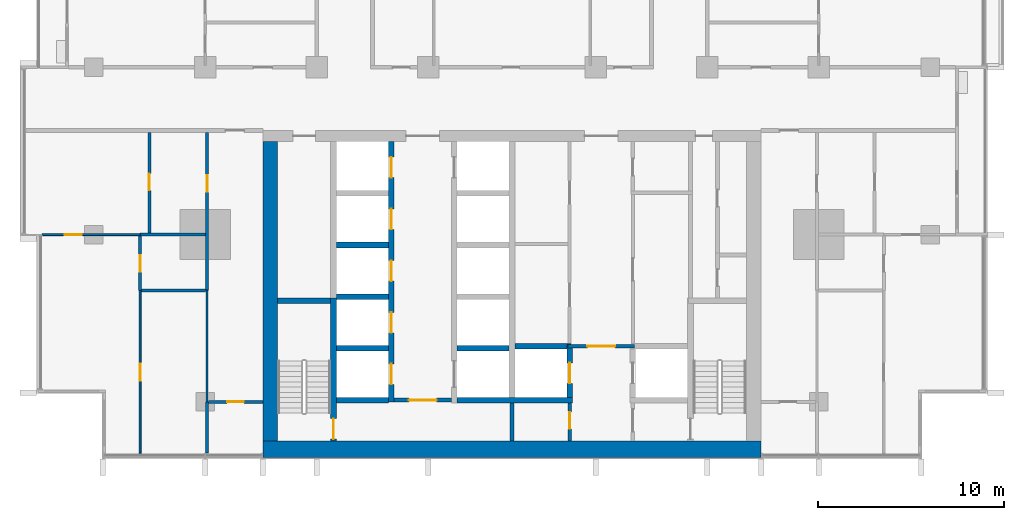
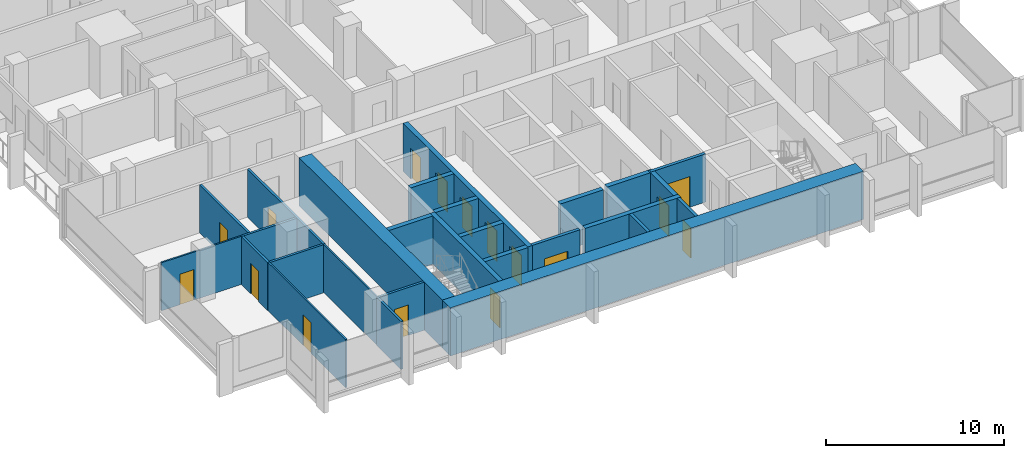
# One storey, part 7 of 17: 27 walls, 16 doors, 16 openings.
"""IFC4 building model written with IfcOpenShell, lengths in metres."""

from ifc_helpers import new_model, si_unit, direction, frame, frame_2d, origin, place, context, subcontext, project, spatial, rectangle, extrude, material, layer, layer_set, type_object, element, fill, save


model = new_model("IFC4")

# Units and contexts
model_context = context("Model", 3, precision=1e-05, world=origin(), true_north=direction((0.0, 1.0)))
body_context = subcontext(model_context, "Body", "Model", "MODEL_VIEW")
ifc_project = project(units=[si_unit("LENGTHUNIT", "METRE"), si_unit("AREAUNIT", "SQUARE_METRE"), si_unit("VOLUMEUNIT", "CUBIC_METRE"), si_unit("PLANEANGLEUNIT", "RADIAN"), si_unit("MASSUNIT", "GRAM", prefix="KILO")], contexts=[model_context])

# Site, building, storey
site_placement = place(None, origin())
site = spatial("IfcSite", under=ifc_project, at=site_placement, CompositionType="ELEMENT")
building_placement = place(site_placement, origin())
building = spatial("IfcBuilding", under=site, at=building_placement, Name="Finial Court Residences", CompositionType="ELEMENT")
storey_placement = place(building_placement, frame((0.0, 0.0, 117.10009765625)))
storey = spatial("IfcBuildingStorey", under=building, at=storey_placement, Name="L29", CompositionType="ELEMENT", Elevation=117.10009765625)

# Walls
ifc_material_1 = material(Name="Concrete C70/85", Category="concrete")
ifc_layer_1 = layer(ifc_material_1, 0.800048828125)
ifc_layer_set_1 = layer_set([ifc_layer_1], Name="Core outer wall 800 Concrete C70/85")
wall_type_1 = type_object("IfcWallType", Name="Core outer wall 800 Concrete C70/85", PredefinedType="SHEAR", material=ifc_layer_set_1)
wall_1_placement = place(storey_placement, frame((-13.0, -24.60009765625, 0.0), z_axis=(0.0, 0.0, 1.0), x_axis=(0.0, 1.0, 0.0)))
element("IfcWall", 1, at=wall_1_placement, inside=storey, type_object=wall_type_1, Name="Core outer wall L29-03", PredefinedType="SHEAR", context=body_context, shape_type="SweptSolid", body=[
    extrude(rectangle(XDim=16.10009765625, YDim=0.800048828125, at=frame_2d((8.050048828125, 0.0))), origin(), (0.0, 0.0, 1.0), 3.2998046875),
])
ifc_layer_2 = layer(ifc_material_1, 0.89990234375)
ifc_layer_set_2 = layer_set([ifc_layer_2], Name="Core south facade wall 900 Concrete C70/85")
wall_type_2 = type_object("IfcWallType", Name="Core south facade wall 900 Concrete C70/85", PredefinedType="SHEAR", material=ifc_layer_set_2)
wall_2_placement = place(storey_placement, frame((-13.39990234375, -25.050048828125, 0.0), z_axis=(0.0, 0.0, 1.0), x_axis=(1.0, 0.0, 0.0)))
element("IfcWall", 2, at=wall_2_placement, inside=storey, type_object=wall_type_2, Name="Core outer wall L29-01", PredefinedType="SHEAR", context=body_context, shape_type="SweptSolid", body=[
    extrude(rectangle(XDim=26.7998046875, YDim=0.89990234375, at=frame_2d((13.39990234375, 0.0))), origin(), (0.0, 0.0, 1.0), 3.2998046875),
])

# Wall, opening, door
ifc_material_2 = material(Name="Fire-rated gypsum board partition")
ifc_layer_3 = layer(ifc_material_2, 0.199951171875)
ifc_layer_set_3 = layer_set([ifc_layer_3], Name="Firefighting lobby wall 200 EI 120")
wall_type_3 = type_object("IfcWallType", Name="Firefighting lobby wall 200 EI 120", PredefinedType="PARTITIONING", material=ifc_layer_set_3)
wall_3_placement = place(storey_placement, frame((6.574951171875, -19.5, 0.0), z_axis=(0.0, 0.0, 1.0), x_axis=(-1.0, 0.0, 0.0)))
wall_3 = element("IfcWall", 3, at=wall_3_placement, inside=storey, type_object=wall_type_3, Name="Core partition L29-08", PredefinedType="PARTITIONING", context=body_context, shape_type="SweptSolid", body=[
    extrude(rectangle(XDim=3.550048828125, YDim=0.199951171875, at=frame_2d((1.77490234375, 0.0))), origin(), (0.0, 0.0, 1.0), 3.2998046875),
])
opening_1_placement = place(wall_3_placement, frame((1.02490234375, 0.0, 0.0)))
opening_1 = element("IfcOpeningElement", 4, at=opening_1_placement, cuts=wall_3, Name="Opening L29-C02", PredefinedType="OPENING", context=body_context, shape_type="SweptSolid", body=[
    extrude(rectangle(XDim=1.5, YDim=2.10009765625, at=frame_2d((0.75, 1.050048828125))), frame((0.0, 0.10986328125, 0.0), z_axis=(0.0, -1.0, 0.0), x_axis=(1.0, 0.0, 0.0)), (0.0, 0.0, 1.0), 0.219970703125),
])
ifc_material_3 = material(Name="Steel fire door", Category="steel")
door_type_1 = type_object("IfcDoorType", Name="Firefighting lobby door 1500 x 2100 EI 90", OperationType="DOUBLE_DOOR_SINGLE_SWING", PredefinedType="DOOR", material=ifc_material_3)
door_1_placement = place(opening_1_placement, origin())
door_1 = element("IfcDoor", 5, at=door_1_placement, inside=storey, type_object=door_type_1, Name="Firefighting lobby door L29-C02", OperationType="DOUBLE_DOOR_SINGLE_SWING", OverallHeight=2.10009765625, OverallWidth=1.5, PredefinedType="DOOR", context=body_context, shape_type="SweptSolid", body=[
    extrude(rectangle(XDim=1.5, YDim=2.10009765625, at=frame_2d((0.75, 1.050048828125))), frame((0.0, 0.02490234375, 0.0), z_axis=(0.0, -1.0, 0.0), x_axis=(1.0, 0.0, 0.0)), (0.0, 0.0, 1.0), 0.050048828125),
])
fill(opening_1, door_1)

wall_4_placement = place(storey_placement, frame((3.10009765625, -24.60009765625, 0.0), z_axis=(0.0, 0.0, 1.0), x_axis=(0.0, 1.0, 0.0)))
wall_4 = element("IfcWall", 6, at=wall_4_placement, inside=storey, type_object=wall_type_3, Name="Core partition L29-27", PredefinedType="PARTITIONING", context=body_context, shape_type="SweptSolid", body=[
    extrude(rectangle(XDim=2.050048828125, YDim=0.199951171875, at=frame_2d((1.02490234375, 0.0))), origin(), (0.0, 0.0, 1.0), 3.2998046875),
])
opening_2_placement = place(wall_4_placement, frame((0.64990234375, 0.0, 0.0)))
opening_2 = element("IfcOpeningElement", 7, at=opening_2_placement, cuts=wall_4, Name="Opening L29-C06", PredefinedType="OPENING", context=body_context, shape_type="SweptSolid", body=[
    extrude(rectangle(XDim=0.89990234375, YDim=2.10009765625, at=frame_2d((0.449951171875, 1.050048828125))), frame((0.0, 0.10986328125, 0.0), z_axis=(0.0, -1.0, 0.0), x_axis=(1.0, 0.0, 0.0)), (0.0, 0.0, 1.0), 0.219970703125),
])
door_type_2 = type_object("IfcDoorType", Name="Riser room door 900 x 2100 EI 90", OperationType="NOTDEFINED", PredefinedType="DOOR", material=ifc_material_3)
door_2_placement = place(opening_2_placement, origin())
door_2 = element("IfcDoor", 8, at=door_2_placement, inside=storey, type_object=door_type_2, Name="Riser room door L29-C06", OperationType="SINGLE_SWING_LEFT", OverallHeight=2.10009765625, OverallWidth=0.89990234375, PredefinedType="DOOR", context=body_context, shape_type="SweptSolid", body=[
    extrude(rectangle(XDim=0.89990234375, YDim=2.10009765625, at=frame_2d((0.449951171875, 1.050048828125))), frame((0.0, 0.02490234375, 0.0), z_axis=(0.0, -1.0, 0.0), x_axis=(1.0, 0.0, 0.0)), (0.0, 0.0, 1.0), 0.050048828125),
])
fill(opening_2, door_2)

ifc_material_4 = material(Name="Gypsum board")
ifc_layer_4 = layer(ifc_material_4, 0.012451171875)
ifc_material_5 = material(Name="Mineral wool in light-gauge frame")
ifc_layer_5 = layer(ifc_material_5, 0.074951171875)
ifc_layer_6 = layer(ifc_material_4, 0.012451171875)
ifc_layer_set_4 = layer_set([ifc_layer_4, ifc_layer_5, ifc_layer_6], Name="Gypsum board partition 100")
wall_type_4 = type_object("IfcWallType", Name="Gypsum board partition 100", PredefinedType="PARTITIONING", material=ifc_layer_set_4)
wall_5_placement = place(storey_placement, frame((-25.25, -13.5, 0.0), z_axis=(0.0, 0.0, 1.0), x_axis=(1.0, 0.0, 0.0)))
wall_5 = element("IfcWall", 9, at=wall_5_placement, inside=storey, type_object=wall_type_4, Name="Partition L29-004", PredefinedType="PARTITIONING", context=body_context, shape_type="SweptSolid", body=[
    extrude(rectangle(XDim=5.25, YDim=0.10009765625, at=frame_2d((2.625, 0.0))), origin(), (0.0, 0.0, 1.0), 3.2998046875),
])
opening_3_placement = place(wall_5_placement, frame((1.199951171875, 0.0, 0.0)))
opening_3 = element("IfcOpeningElement", 10, at=opening_3_placement, cuts=wall_5, Name="Opening L29-D003", PredefinedType="OPENING", context=body_context, shape_type="SweptSolid", body=[
    extrude(rectangle(XDim=0.89990234375, YDim=2.10009765625, at=frame_2d((0.449951171875, 1.050048828125))), frame((0.0, 0.06005859375, 0.0), z_axis=(0.0, -1.0, 0.0), x_axis=(1.0, 0.0, 0.0)), (0.0, 0.0, 1.0), 0.1201171875),
])
ifc_material_6 = material(Name="Timber door leaf in timber frame", Category="wood")
door_type_3 = type_object("IfcDoorType", Name="Door set 900 x 2100", OperationType="SINGLE_SWING_LEFT", PredefinedType="DOOR", material=ifc_material_6)
door_3_placement = place(opening_3_placement, origin())
door_3 = element("IfcDoor", 11, at=door_3_placement, inside=storey, type_object=door_type_3, Name="Door L29-D003", OperationType="SINGLE_SWING_LEFT", OverallHeight=2.10009765625, OverallWidth=0.89990234375, PredefinedType="DOOR", context=body_context, shape_type="SweptSolid", body=[
    extrude(rectangle(XDim=0.89990234375, YDim=2.10009765625, at=frame_2d((0.449951171875, 1.050048828125))), frame((0.0, 0.02490234375, 0.0), z_axis=(0.0, -1.0, 0.0), x_axis=(1.0, 0.0, 0.0)), (0.0, 0.0, 1.0), 0.050048828125),
])
fill(opening_3, door_3)

wall_6_placement = place(storey_placement, frame((-20.0, -25.25, 0.0), z_axis=(0.0, 0.0, 1.0), x_axis=(0.0, 1.0, 0.0)))
wall_6 = element("IfcWall", 12, at=wall_6_placement, inside=storey, type_object=wall_type_4, Name="Partition L29-038", PredefinedType="PARTITIONING", context=body_context, shape_type="SweptSolid", body=[
    extrude(rectangle(XDim=8.75, YDim=0.10009765625, at=frame_2d((4.375, 0.0))), origin(), (0.0, 0.0, 1.0), 3.2998046875),
])
opening_4_placement = place(wall_6_placement, frame((3.89990234375, 0.0, 0.0)))
opening_4 = element("IfcOpeningElement", 13, at=opening_4_placement, cuts=wall_6, Name="Opening L29-D025", PredefinedType="OPENING", context=body_context, shape_type="SweptSolid", body=[
    extrude(rectangle(XDim=0.89990234375, YDim=2.10009765625, at=frame_2d((0.449951171875, 1.050048828125))), frame((0.0, 0.06005859375, 0.0), z_axis=(0.0, -1.0, 0.0), x_axis=(1.0, 0.0, 0.0)), (0.0, 0.0, 1.0), 0.1201171875),
])
door_4_placement = place(opening_4_placement, origin())
door_4 = element("IfcDoor", 14, at=door_4_placement, inside=storey, type_object=door_type_3, Name="Door L29-D025", OperationType="SINGLE_SWING_LEFT", OverallHeight=2.10009765625, OverallWidth=0.89990234375, PredefinedType="DOOR", context=body_context, shape_type="SweptSolid", body=[
    extrude(rectangle(XDim=0.89990234375, YDim=2.10009765625, at=frame_2d((0.449951171875, 1.050048828125))), frame((0.0, 0.02490234375, 0.0), z_axis=(0.0, -1.0, 0.0), x_axis=(1.0, 0.0, 0.0)), (0.0, 0.0, 1.0), 0.050048828125),
])
fill(opening_4, door_4)

# Wall
wall_7_placement = place(storey_placement, frame((-16.39990234375, -22.5, 0.0), z_axis=(0.0, 0.0, 1.0), x_axis=(0.0, 1.0, 0.0)))
element("IfcWall", 15, at=wall_7_placement, inside=storey, type_object=wall_type_4, Name="Partition L29-046", PredefinedType="PARTITIONING", context=body_context, shape_type="SweptSolid", body=[
    extrude(rectangle(XDim=6.0, YDim=0.10009765625, at=frame_2d((3.0, 0.0))), origin(), (0.0, 0.0, 1.0), 3.2998046875),
])

# Wall, opening, door
ifc_material_7 = material(Name="Moisture-resistant gypsum board")
ifc_layer_7 = layer(ifc_material_7, 0.012451171875)
ifc_layer_8 = layer(ifc_material_5, 0.125)
ifc_layer_9 = layer(ifc_material_7, 0.012451171875)
ifc_layer_set_5 = layer_set([ifc_layer_7, ifc_layer_8, ifc_layer_9], Name="Gypsum board wet-area partition 150")
wall_type_5 = type_object("IfcWallType", Name="Gypsum board wet-area partition 150", PredefinedType="PARTITIONING", material=ifc_layer_set_5)
wall_8_placement = place(storey_placement, frame((-16.324951171875, -22.5, 0.0), z_axis=(0.0, 0.0, 1.0), x_axis=(1.0, 0.0, 0.0)))
wall_8 = element("IfcWall", 16, at=wall_8_placement, inside=storey, type_object=wall_type_5, Name="Partition L29-000", PredefinedType="PARTITIONING", context=body_context, shape_type="SweptSolid", body=[
    extrude(rectangle(XDim=2.925048828125, YDim=0.14990234375, at=frame_2d((1.46240234375, 0.0))), origin(), (0.0, 0.0, 1.0), 3.2998046875),
])
opening_5_placement = place(wall_8_placement, frame((1.0, 0.0, 0.0)))
opening_5 = element("IfcOpeningElement", 17, at=opening_5_placement, cuts=wall_8, Name="Opening L29-D001", PredefinedType="OPENING", context=body_context, shape_type="SweptSolid", body=[
    extrude(rectangle(XDim=0.89990234375, YDim=2.10009765625, at=frame_2d((0.449951171875, 1.050048828125))), frame((0.0, 0.0849609375, 0.0), z_axis=(0.0, -1.0, 0.0), x_axis=(1.0, 0.0, 0.0)), (0.0, 0.0, 1.0), 0.169921875),
])
door_5_placement = place(opening_5_placement, origin())
door_5 = element("IfcDoor", 18, at=door_5_placement, inside=storey, type_object=door_type_3, Name="Door L29-D001", OperationType="SINGLE_SWING_LEFT", OverallHeight=2.10009765625, OverallWidth=0.89990234375, PredefinedType="DOOR", context=body_context, shape_type="SweptSolid", body=[
    extrude(rectangle(XDim=0.89990234375, YDim=2.10009765625, at=frame_2d((0.449951171875, 1.050048828125))), frame((0.0, 0.02490234375, 0.0), z_axis=(0.0, -1.0, 0.0), x_axis=(1.0, 0.0, 0.0)), (0.0, 0.0, 1.0), 0.050048828125),
])
fill(opening_5, door_5)

# Walls
wall_9_placement = place(storey_placement, frame((-19.925048828125, -16.5, 0.0), z_axis=(0.0, 0.0, 1.0), x_axis=(1.0, 0.0, 0.0)))
element("IfcWall", 19, at=wall_9_placement, inside=storey, type_object=wall_type_5, Name="Partition L29-002", PredefinedType="PARTITIONING", context=body_context, shape_type="SweptSolid", body=[
    extrude(rectangle(XDim=3.449951171875, YDim=0.14990234375, at=frame_2d((1.72509765625, 0.0))), origin(), (0.0, 0.0, 1.0), 3.2998046875),
])
wall_10_placement = place(storey_placement, frame((-20.0, -13.5, 0.0), z_axis=(0.0, 0.0, 1.0), x_axis=(1.0, 0.0, 0.0)))
element("IfcWall", 20, at=wall_10_placement, inside=storey, type_object=wall_type_5, Name="Partition L29-006", PredefinedType="PARTITIONING", context=body_context, shape_type="SweptSolid", body=[
    extrude(rectangle(XDim=3.52490234375, YDim=0.14990234375, at=frame_2d((1.762451171875, 0.0))), origin(), (0.0, 0.0, 1.0), 3.2998046875),
])

# Wall, opening, door
wall_11_placement = place(storey_placement, frame((-20.0, -16.5, 0.0), z_axis=(0.0, 0.0, 1.0), x_axis=(0.0, 1.0, 0.0)))
wall_11 = element("IfcWall", 21, at=wall_11_placement, inside=storey, type_object=wall_type_5, Name="Partition L29-039", PredefinedType="PARTITIONING", context=body_context, shape_type="SweptSolid", body=[
    extrude(rectangle(XDim=2.925048828125, YDim=0.14990234375, at=frame_2d((1.46240234375, 0.0))), origin(), (0.0, 0.0, 1.0), 3.2998046875),
])
opening_6_placement = place(wall_11_placement, frame((1.0, 0.0, 0.0)))
opening_6 = element("IfcOpeningElement", 22, at=opening_6_placement, cuts=wall_11, Name="Opening L29-D026", PredefinedType="OPENING", context=body_context, shape_type="SweptSolid", body=[
    extrude(rectangle(XDim=0.89990234375, YDim=2.10009765625, at=frame_2d((0.449951171875, 1.050048828125))), frame((0.0, 0.0849609375, 0.0), z_axis=(0.0, -1.0, 0.0), x_axis=(1.0, 0.0, 0.0)), (0.0, 0.0, 1.0), 0.169921875),
])
door_6_placement = place(opening_6_placement, origin())
door_6 = element("IfcDoor", 23, at=door_6_placement, inside=storey, type_object=door_type_3, Name="Door L29-D026", OperationType="SINGLE_SWING_LEFT", OverallHeight=2.10009765625, OverallWidth=0.89990234375, PredefinedType="DOOR", context=body_context, shape_type="SweptSolid", body=[
    extrude(rectangle(XDim=0.89990234375, YDim=2.10009765625, at=frame_2d((0.449951171875, 1.050048828125))), frame((0.0, 0.02490234375, 0.0), z_axis=(0.0, -1.0, 0.0), x_axis=(1.0, 0.0, 0.0)), (0.0, 0.0, 1.0), 0.050048828125),
])
fill(opening_6, door_6)

wall_12_placement = place(storey_placement, frame((-19.5, -13.425048828125, 0.0), z_axis=(0.0, 0.0, 1.0), x_axis=(0.0, 1.0, 0.0)))
wall_12 = element("IfcWall", 24, at=wall_12_placement, inside=storey, type_object=wall_type_5, Name="Partition L29-040", PredefinedType="PARTITIONING", context=body_context, shape_type="SweptSolid", body=[
    extrude(rectangle(XDim=5.425048828125, YDim=0.14990234375, at=frame_2d((2.71240234375, 0.0))), origin(), (0.0, 0.0, 1.0), 3.2998046875),
])
opening_7_placement = place(wall_12_placement, frame((2.300048828125, 0.0, 0.0)))
opening_7 = element("IfcOpeningElement", 25, at=opening_7_placement, cuts=wall_12, Name="Opening L29-D027", PredefinedType="OPENING", context=body_context, shape_type="SweptSolid", body=[
    extrude(rectangle(XDim=0.89990234375, YDim=2.10009765625, at=frame_2d((0.449951171875, 1.050048828125))), frame((0.0, 0.0849609375, 0.0), z_axis=(0.0, -1.0, 0.0), x_axis=(1.0, 0.0, 0.0)), (0.0, 0.0, 1.0), 0.169921875),
])
door_7_placement = place(opening_7_placement, origin())
door_7 = element("IfcDoor", 26, at=door_7_placement, inside=storey, type_object=door_type_3, Name="Door L29-D027", OperationType="SINGLE_SWING_RIGHT", OverallHeight=2.10009765625, OverallWidth=0.89990234375, PredefinedType="DOOR", context=body_context, shape_type="SweptSolid", body=[
    extrude(rectangle(XDim=0.89990234375, YDim=2.10009765625, at=frame_2d((0.449951171875, 1.050048828125))), frame((0.0, 0.02490234375, 0.0), z_axis=(0.0, -1.0, 0.0), x_axis=(1.0, 0.0, 0.0)), (0.0, 0.0, 1.0), 0.050048828125),
])
fill(opening_7, door_7)

# Wall
wall_13_placement = place(storey_placement, frame((-16.39990234375, -25.25, 0.0), z_axis=(0.0, 0.0, 1.0), x_axis=(0.0, 1.0, 0.0)))
element("IfcWall", 27, at=wall_13_placement, inside=storey, type_object=wall_type_5, Name="Partition L29-047", PredefinedType="PARTITIONING", context=body_context, shape_type="SweptSolid", body=[
    extrude(rectangle(XDim=2.75, YDim=0.14990234375, at=frame_2d((1.375, 0.0))), origin(), (0.0, 0.0, 1.0), 3.2998046875),
])

# Wall, opening, door
wall_14_placement = place(storey_placement, frame((-16.39990234375, -16.5, 0.0), z_axis=(0.0, 0.0, 1.0), x_axis=(0.0, 1.0, 0.0)))
wall_14 = element("IfcWall", 28, at=wall_14_placement, inside=storey, type_object=wall_type_5, Name="Partition L29-048", PredefinedType="PARTITIONING", context=body_context, shape_type="SweptSolid", body=[
    extrude(rectangle(XDim=8.5, YDim=0.14990234375, at=frame_2d((4.25, 0.0))), origin(), (0.0, 0.0, 1.0), 3.2998046875),
])
opening_8_placement = place(wall_14_placement, frame((5.300048828125, 0.0, 0.0)))
opening_8 = element("IfcOpeningElement", 29, at=opening_8_placement, cuts=wall_14, Name="Opening L29-D033", PredefinedType="OPENING", context=body_context, shape_type="SweptSolid", body=[
    extrude(rectangle(XDim=0.89990234375, YDim=2.10009765625, at=frame_2d((0.449951171875, 1.050048828125))), frame((0.0, 0.0849609375, 0.0), z_axis=(0.0, -1.0, 0.0), x_axis=(1.0, 0.0, 0.0)), (0.0, 0.0, 1.0), 0.169921875),
])
door_8_placement = place(opening_8_placement, origin())
door_8 = element("IfcDoor", 30, at=door_8_placement, inside=storey, type_object=door_type_3, Name="Door L29-D033", OperationType="SINGLE_SWING_LEFT", OverallHeight=2.10009765625, OverallWidth=0.89990234375, PredefinedType="DOOR", context=body_context, shape_type="SweptSolid", body=[
    extrude(rectangle(XDim=0.89990234375, YDim=2.10009765625, at=frame_2d((0.449951171875, 1.050048828125))), frame((0.0, 0.02490234375, 0.0), z_axis=(0.0, -1.0, 0.0), x_axis=(1.0, 0.0, 0.0)), (0.0, 0.0, 1.0), 0.050048828125),
])
fill(opening_8, door_8)

# Walls
ifc_layer_10 = layer(ifc_material_1, 0.300048828125)
ifc_layer_set_6 = layer_set([ifc_layer_10], Name="Lift shaft and stair wall 300 Concrete C70/85")
wall_type_6 = type_object("IfcWallType", Name="Lift shaft and stair wall 300 Concrete C70/85", PredefinedType="SHEAR", material=ifc_layer_set_6)
wall_15_placement = place(storey_placement, frame((-9.449951171875, -22.39990234375, 0.0), z_axis=(0.0, 0.0, 1.0), x_axis=(1.0, 0.0, 0.0)))
element("IfcWall", 31, at=wall_15_placement, inside=storey, type_object=wall_type_6, Name="Core wall L29-01", PredefinedType="SHEAR", context=body_context, shape_type="SweptSolid", body=[
    extrude(rectangle(XDim=2.800048828125, YDim=0.300048828125, at=frame_2d((1.39990234375, 0.0))), origin(), (0.0, 0.0, 1.0), 3.2998046875),
])
wall_16_placement = place(storey_placement, frame((-2.949951171875, -22.39990234375, 0.0), z_axis=(0.0, 0.0, 1.0), x_axis=(1.0, 0.0, 0.0)))
element("IfcWall", 32, at=wall_16_placement, inside=storey, type_object=wall_type_6, Name="Core wall L29-03", PredefinedType="SHEAR", context=body_context, shape_type="SweptSolid", body=[
    extrude(rectangle(XDim=6.199951171875, YDim=0.300048828125, at=frame_2d((3.10009765625, 0.0))), origin(), (0.0, 0.0, 1.0), 3.2998046875),
])
for number, where, z_axis, x_axis, name in (
    (33, (-9.449951171875, -19.6201171875, 0.0), (0.0, 0.0, 1.0), (1.0, 0.0, 0.0), "Core wall L29-05"),
    (34, (-2.949951171875, -19.6201171875, 0.0), (0.0, 0.0, 1.0), (1.0, 0.0, 0.0), "Core wall L29-06"),
):
    element("IfcWall", number, at=place(storey_placement, frame(where, z_axis=z_axis, x_axis=x_axis)), inside=storey, type_object=wall_type_6, Name=name, PredefinedType="SHEAR", context=body_context, shape_type="SweptSolid", body=[
        extrude(rectangle(XDim=2.800048828125, YDim=0.300048828125, at=frame_2d((1.39990234375, 0.0))), origin(), (0.0, 0.0, 1.0), 3.2998046875),
    ])
wall_17_placement = place(storey_placement, frame((0.14990234375, -19.5, 0.0), z_axis=(0.0, 0.0, 1.0), x_axis=(1.0, 0.0, 0.0)))
element("IfcWall", 35, at=wall_17_placement, inside=storey, type_object=wall_type_6, Name="Core wall L29-07", PredefinedType="SHEAR", context=body_context, shape_type="SweptSolid", body=[
    extrude(rectangle(XDim=3.025146484375, YDim=0.300048828125, at=frame_2d((1.5126953125, 0.0))), origin(), (0.0, 0.0, 1.0), 3.2998046875),
])
wall_18_placement = place(storey_placement, frame((-12.60009765625, -17.050048828125, 0.0), z_axis=(0.0, 0.0, 1.0), x_axis=(1.0, 0.0, 0.0)))
element("IfcWall", 36, at=wall_18_placement, inside=storey, type_object=wall_type_6, Name="Core wall L29-10", PredefinedType="SHEAR", context=body_context, shape_type="SweptSolid", body=[
    extrude(rectangle(XDim=2.85009765625, YDim=0.300048828125, at=frame_2d((1.425048828125, 0.0))), origin(), (0.0, 0.0, 1.0), 3.2998046875),
])
for number, where, z_axis, x_axis, name in (
    (37, (-9.449951171875, -16.840087890625, 0.0), (0.0, 0.0, 1.0), (1.0, 0.0, 0.0), "Core wall L29-12"),
    (38, (-9.449951171875, -14.06005859375, 0.0), (0.0, 0.0, 1.0), (1.0, 0.0, 0.0), "Core wall L29-15"),
):
    element("IfcWall", number, at=place(storey_placement, frame(where, z_axis=z_axis, x_axis=x_axis)), inside=storey, type_object=wall_type_6, Name=name, PredefinedType="SHEAR", context=body_context, shape_type="SweptSolid", body=[
        extrude(rectangle(XDim=2.800048828125, YDim=0.300048828125, at=frame_2d((1.39990234375, 0.0))), origin(), (0.0, 0.0, 1.0), 3.2998046875),
    ])

# Wall, opening, door
wall_19_placement = place(storey_placement, frame((-9.60009765625, -24.60009765625, 0.0), z_axis=(0.0, 0.0, 1.0), x_axis=(0.0, 1.0, 0.0)))
wall_19 = element("IfcWall", 39, at=wall_19_placement, inside=storey, type_object=wall_type_6, Name="Core wall L29-21", PredefinedType="SHEAR", context=body_context, shape_type="SweptSolid", body=[
    extrude(rectangle(XDim=7.7001953125, YDim=0.300048828125, at=frame_2d((3.85009765625, 0.0))), origin(), (0.0, 0.0, 1.0), 3.2998046875),
])
opening_9_placement = place(wall_19_placement, frame((0.10009765625, 0.0, 0.0)))
opening_9 = element("IfcOpeningElement", 40, at=opening_9_placement, cuts=wall_19, Name="Opening L29-C15", PredefinedType="OPENING", context=body_context, shape_type="SweptSolid", body=[
    extrude(rectangle(XDim=1.10009765625, YDim=2.10009765625, at=frame_2d((0.550048828125, 1.050048828125))), frame((0.0, 0.159912109375, 0.0), z_axis=(0.0, -1.0, 0.0), x_axis=(1.0, 0.0, 0.0)), (0.0, 0.0, 1.0), 0.320068359375),
])
door_type_4 = type_object("IfcDoorType", Name="Stair door 1100 x 2100 EI 90", OperationType="NOTDEFINED", PredefinedType="DOOR", material=ifc_material_3)
door_9_placement = place(opening_9_placement, origin())
door_9 = element("IfcDoor", 41, at=door_9_placement, inside=storey, type_object=door_type_4, Name="Stair door L29-C15", OperationType="SINGLE_SWING_LEFT", OverallHeight=2.10009765625, OverallWidth=1.10009765625, PredefinedType="DOOR", context=body_context, shape_type="SweptSolid", body=[
    extrude(rectangle(XDim=1.10009765625, YDim=2.10009765625, at=frame_2d((0.550048828125, 1.050048828125))), frame((0.0, 0.02490234375, 0.0), z_axis=(0.0, -1.0, 0.0), x_axis=(1.0, 0.0, 0.0)), (0.0, 0.0, 1.0), 0.050048828125),
])
fill(opening_9, door_9)

# Wall, openings, doors
wall_20_placement = place(storey_placement, frame((-6.5, -22.5, 0.0), z_axis=(0.0, 0.0, 1.0), x_axis=(0.0, 1.0, 0.0)))
wall_20 = element("IfcWall", 42, at=wall_20_placement, inside=storey, type_object=wall_type_6, Name="Core wall L29-23", PredefinedType="SHEAR", context=body_context, shape_type="SweptSolid", body=[
    extrude(rectangle(XDim=14.0, YDim=0.300048828125, at=frame_2d((7.0, 0.0))), origin(), (0.0, 0.0, 1.0), 3.2998046875),
])
opening_10_placement = place(wall_20_placement, frame((0.93994140625, 0.0, 0.0)))
opening_10 = element("IfcOpeningElement", 43, at=opening_10_placement, cuts=wall_20, Name="Opening L29-LD03", PredefinedType="OPENING", context=body_context, shape_type="SweptSolid", body=[
    extrude(rectangle(XDim=1.10009765625, YDim=2.10009765625, at=frame_2d((0.550048828125, 1.050048828125))), frame((0.0, 0.159912109375, 0.0), z_axis=(0.0, -1.0, 0.0), x_axis=(1.0, 0.0, 0.0)), (0.0, 0.0, 1.0), 0.320068359375),
])
opening_11_placement = place(wall_20_placement, frame((3.719970703125, 0.0, 0.0)))
opening_11 = element("IfcOpeningElement", 44, at=opening_11_placement, cuts=wall_20, Name="Opening L29-LD04", PredefinedType="OPENING", context=body_context, shape_type="SweptSolid", body=[
    extrude(rectangle(XDim=1.10009765625, YDim=2.10009765625, at=frame_2d((0.550048828125, 1.050048828125))), frame((0.0, 0.159912109375, 0.0), z_axis=(0.0, -1.0, 0.0), x_axis=(1.0, 0.0, 0.0)), (0.0, 0.0, 1.0), 0.320068359375),
])
opening_12_placement = place(wall_20_placement, frame((6.5, 0.0, 0.0)))
opening_12 = element("IfcOpeningElement", 45, at=opening_12_placement, cuts=wall_20, Name="Opening L29-LD05", PredefinedType="OPENING", context=body_context, shape_type="SweptSolid", body=[
    extrude(rectangle(XDim=1.10009765625, YDim=2.10009765625, at=frame_2d((0.550048828125, 1.050048828125))), frame((0.0, 0.159912109375, 0.0), z_axis=(0.0, -1.0, 0.0), x_axis=(1.0, 0.0, 0.0)), (0.0, 0.0, 1.0), 0.320068359375),
])
opening_13_placement = place(wall_20_placement, frame((9.280029296875, 0.0, 0.0)))
opening_13 = element("IfcOpeningElement", 46, at=opening_13_placement, cuts=wall_20, Name="Opening L29-LD06", PredefinedType="OPENING", context=body_context, shape_type="SweptSolid", body=[
    extrude(rectangle(XDim=1.10009765625, YDim=2.10009765625, at=frame_2d((0.550048828125, 1.050048828125))), frame((0.0, 0.159912109375, 0.0), z_axis=(0.0, -1.0, 0.0), x_axis=(1.0, 0.0, 0.0)), (0.0, 0.0, 1.0), 0.320068359375),
])
opening_14_placement = place(wall_20_placement, frame((12.06005859375, 0.0, 0.0)))
opening_14 = element("IfcOpeningElement", 47, at=opening_14_placement, cuts=wall_20, Name="Opening L29-LD07", PredefinedType="OPENING", context=body_context, shape_type="SweptSolid", body=[
    extrude(rectangle(XDim=1.10009765625, YDim=2.10009765625, at=frame_2d((0.550048828125, 1.050048828125))), frame((0.0, 0.159912109375, 0.0), z_axis=(0.0, -1.0, 0.0), x_axis=(1.0, 0.0, 0.0)), (0.0, 0.0, 1.0), 0.320068359375),
])
ifc_material_8 = material(Name="Stainless steel lift door", Category="steel")
door_type_5 = type_object("IfcDoorType", Name="Lift landing door 1100 x 2100 EI 90", OperationType="DOUBLE_DOOR_SLIDING", PredefinedType="DOOR", material=ifc_material_8)
door_10_placement = place(opening_10_placement, origin())
door_10 = element("IfcDoor", 48, at=door_10_placement, inside=storey, type_object=door_type_5, Name="Lift landing door LR1 L29", OperationType="DOUBLE_DOOR_SLIDING", OverallHeight=2.10009765625, OverallWidth=1.10009765625, PredefinedType="DOOR", context=body_context, shape_type="SweptSolid", body=[
    extrude(rectangle(XDim=1.10009765625, YDim=2.10009765625, at=frame_2d((0.550048828125, 1.050048828125))), frame((0.0, 0.02490234375, 0.0), z_axis=(0.0, -1.0, 0.0), x_axis=(1.0, 0.0, 0.0)), (0.0, 0.0, 1.0), 0.050048828125),
])
fill(opening_10, door_10)
door_11_placement = place(opening_11_placement, origin())
door_11 = element("IfcDoor", 49, at=door_11_placement, inside=storey, type_object=door_type_5, Name="Lift landing door LR2 L29", OperationType="DOUBLE_DOOR_SLIDING", OverallHeight=2.10009765625, OverallWidth=1.10009765625, PredefinedType="DOOR", context=body_context, shape_type="SweptSolid", body=[
    extrude(rectangle(XDim=1.10009765625, YDim=2.10009765625, at=frame_2d((0.550048828125, 1.050048828125))), frame((0.0, 0.02490234375, 0.0), z_axis=(0.0, -1.0, 0.0), x_axis=(1.0, 0.0, 0.0)), (0.0, 0.0, 1.0), 0.050048828125),
])
fill(opening_11, door_11)
door_12_placement = place(opening_12_placement, origin())
door_12 = element("IfcDoor", 50, at=door_12_placement, inside=storey, type_object=door_type_5, Name="Lift landing door LR3 L29", OperationType="DOUBLE_DOOR_SLIDING", OverallHeight=2.10009765625, OverallWidth=1.10009765625, PredefinedType="DOOR", context=body_context, shape_type="SweptSolid", body=[
    extrude(rectangle(XDim=1.10009765625, YDim=2.10009765625, at=frame_2d((0.550048828125, 1.050048828125))), frame((0.0, 0.02490234375, 0.0), z_axis=(0.0, -1.0, 0.0), x_axis=(1.0, 0.0, 0.0)), (0.0, 0.0, 1.0), 0.050048828125),
])
fill(opening_12, door_12)
door_13_placement = place(opening_13_placement, origin())
door_13 = element("IfcDoor", 51, at=door_13_placement, inside=storey, type_object=door_type_5, Name="Lift landing door LR4 L29", OperationType="DOUBLE_DOOR_SLIDING", OverallHeight=2.10009765625, OverallWidth=1.10009765625, PredefinedType="DOOR", context=body_context, shape_type="SweptSolid", body=[
    extrude(rectangle(XDim=1.10009765625, YDim=2.10009765625, at=frame_2d((0.550048828125, 1.050048828125))), frame((0.0, 0.02490234375, 0.0), z_axis=(0.0, -1.0, 0.0), x_axis=(1.0, 0.0, 0.0)), (0.0, 0.0, 1.0), 0.050048828125),
])
fill(opening_13, door_13)
door_14_placement = place(opening_14_placement, origin())
door_14 = element("IfcDoor", 52, at=door_14_placement, inside=storey, type_object=door_type_5, Name="Lift landing door LR5 L29", OperationType="DOUBLE_DOOR_SLIDING", OverallHeight=2.10009765625, OverallWidth=1.10009765625, PredefinedType="DOOR", context=body_context, shape_type="SweptSolid", body=[
    extrude(rectangle(XDim=1.10009765625, YDim=2.10009765625, at=frame_2d((0.550048828125, 1.050048828125))), frame((0.0, 0.02490234375, 0.0), z_axis=(0.0, -1.0, 0.0), x_axis=(1.0, 0.0, 0.0)), (0.0, 0.0, 1.0), 0.050048828125),
])
fill(opening_14, door_14)

# Wall, opening, door
wall_21_placement = place(storey_placement, frame((3.10009765625, -22.25, 0.0), z_axis=(0.0, 0.0, 1.0), x_axis=(0.0, 1.0, 0.0)))
wall_21 = element("IfcWall", 53, at=wall_21_placement, inside=storey, type_object=wall_type_6, Name="Core wall L29-28", PredefinedType="SHEAR", context=body_context, shape_type="SweptSolid", body=[
    extrude(rectangle(XDim=2.85009765625, YDim=0.300048828125, at=frame_2d((1.425048828125, 0.0))), origin(), (0.0, 0.0, 1.0), 3.2998046875),
])
opening_15_placement = place(wall_21_placement, frame((0.75, 0.0, 0.0)))
opening_15 = element("IfcOpeningElement", 54, at=opening_15_placement, cuts=wall_21, Name="Opening L29-LD01", PredefinedType="OPENING", context=body_context, shape_type="SweptSolid", body=[
    extrude(rectangle(XDim=1.10009765625, YDim=2.10009765625, at=frame_2d((0.550048828125, 1.050048828125))), frame((0.0, 0.159912109375, 0.0), z_axis=(0.0, -1.0, 0.0), x_axis=(1.0, 0.0, 0.0)), (0.0, 0.0, 1.0), 0.320068359375),
])
door_15_placement = place(opening_15_placement, origin())
door_15 = element("IfcDoor", 55, at=door_15_placement, inside=storey, type_object=door_type_5, Name="Lift landing door FF1 L29", OperationType="DOUBLE_DOOR_SLIDING", OverallHeight=2.10009765625, OverallWidth=1.10009765625, PredefinedType="DOOR", context=body_context, shape_type="SweptSolid", body=[
    extrude(rectangle(XDim=1.10009765625, YDim=2.10009765625, at=frame_2d((0.550048828125, 1.050048828125))), frame((0.0, 0.02490234375, 0.0), z_axis=(0.0, -1.0, 0.0), x_axis=(1.0, 0.0, 0.0)), (0.0, 0.0, 1.0), 0.050048828125),
])
fill(opening_15, door_15)

# Wall
ifc_layer_11 = layer(ifc_material_2, 0.199951171875)
ifc_layer_set_7 = layer_set([ifc_layer_11], Name="Riser room wall 200 EI 120")
wall_type_7 = type_object("IfcWallType", Name="Riser room wall 200 EI 120", PredefinedType="PARTITIONING", material=ifc_layer_set_7)
wall_22_placement = place(storey_placement, frame((0.0, -24.60009765625, 0.0), z_axis=(0.0, 0.0, 1.0), x_axis=(0.0, 1.0, 0.0)))
element("IfcWall", 56, at=wall_22_placement, inside=storey, type_object=wall_type_7, Name="Core partition L29-25", PredefinedType="PARTITIONING", context=body_context, shape_type="SweptSolid", body=[
    extrude(rectangle(XDim=2.050048828125, YDim=0.199951171875, at=frame_2d((1.02490234375, 0.0))), origin(), (0.0, 0.0, 1.0), 3.2998046875),
])

# Wall, opening, door
ifc_layer_12 = layer(ifc_material_2, 0.199951171875)
ifc_layer_set_8 = layer_set([ifc_layer_12], Name="Stair passage wall 200 EI 180")
wall_type_8 = type_object("IfcWallType", Name="Stair passage wall 200 EI 180", PredefinedType="PARTITIONING", material=ifc_layer_set_8)
wall_23_placement = place(storey_placement, frame((-3.25, -22.39990234375, 0.0), z_axis=(0.0, 0.0, 1.0), x_axis=(-1.0, 0.0, 0.0)))
wall_23 = element("IfcWall", 57, at=wall_23_placement, inside=storey, type_object=wall_type_8, Name="Core partition L29-02", PredefinedType="PARTITIONING", context=body_context, shape_type="SweptSolid", body=[
    extrude(rectangle(XDim=3.10009765625, YDim=0.199951171875, at=frame_2d((1.550048828125, 0.0))), origin(), (0.0, 0.0, 1.0), 3.2998046875),
])
opening_16_placement = place(wall_23_placement, frame((0.800048828125, 0.0, 0.0)))
opening_16 = element("IfcOpeningElement", 58, at=opening_16_placement, cuts=wall_23, Name="Opening L29-C03", PredefinedType="OPENING", context=body_context, shape_type="SweptSolid", body=[
    extrude(rectangle(XDim=1.5, YDim=2.10009765625, at=frame_2d((0.75, 1.050048828125))), frame((0.0, 0.10986328125, 0.0), z_axis=(0.0, -1.0, 0.0), x_axis=(1.0, 0.0, 0.0)), (0.0, 0.0, 1.0), 0.219970703125),
])
door_type_6 = type_object("IfcDoorType", Name="Lift lobby door 1500 x 2100 EI 60", OperationType="DOUBLE_DOOR_SINGLE_SWING", PredefinedType="DOOR", material=ifc_material_3)
door_16_placement = place(opening_16_placement, origin())
door_16 = element("IfcDoor", 59, at=door_16_placement, inside=storey, type_object=door_type_6, Name="Lift lobby door L29-C03", OperationType="DOUBLE_DOOR_SINGLE_SWING", OverallHeight=2.10009765625, OverallWidth=1.5, PredefinedType="DOOR", context=body_context, shape_type="SweptSolid", body=[
    extrude(rectangle(XDim=1.5, YDim=2.10009765625, at=frame_2d((0.75, 1.050048828125))), frame((0.0, 0.02490234375, 0.0), z_axis=(0.0, -1.0, 0.0), x_axis=(1.0, 0.0, 0.0)), (0.0, 0.0, 1.0), 0.050048828125),
])
fill(opening_16, door_16)

save(model, "model.ifc")
